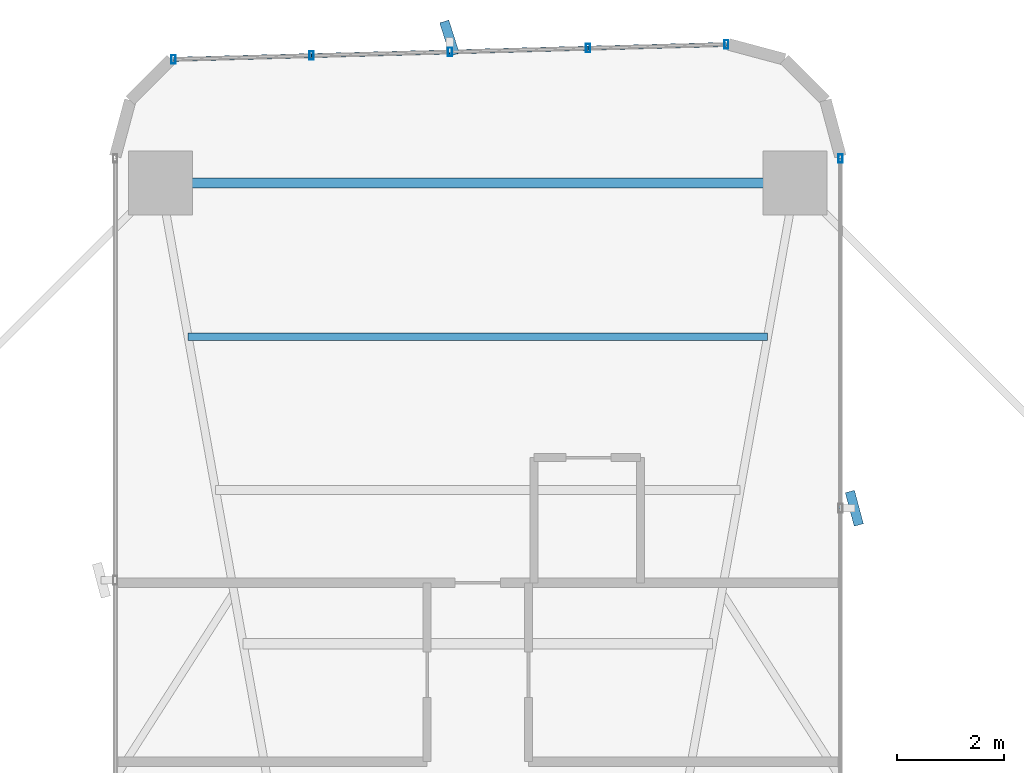
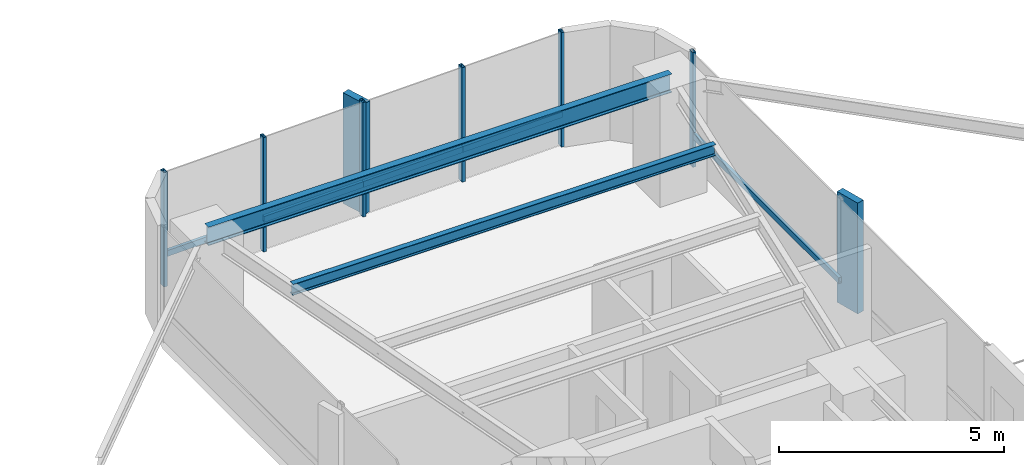
# One storey, part 19 of 25: 13 members, 2 beams, 2 elements without a shape of their own.
"""IFC4 building model written with IfcOpenShell, lengths in metres."""

from ifc_helpers import new_model, si_unit, direction, frame, origin, origin_2d, place, context, subcontext, project, spatial, rectangle, hollow_rectangle, i_section, extrude, source, transform, mapped, material, material_profile, profile_set, type_object, element, aggregate, save


model = new_model("IFC4")

# Units and contexts
model_context = context("Model", 3, precision=1e-05, world=origin(), true_north=direction((0.0, 1.0)))
body_context = subcontext(model_context, "Body", "Model", "MODEL_VIEW")
ifc_project = project(units=[si_unit("LENGTHUNIT", "METRE"), si_unit("AREAUNIT", "SQUARE_METRE"), si_unit("VOLUMEUNIT", "CUBIC_METRE"), si_unit("PLANEANGLEUNIT", "RADIAN"), si_unit("MASSUNIT", "GRAM", prefix="KILO")], contexts=[model_context])

# Site, building, storey
site_placement = place(None, origin())
site = spatial("IfcSite", under=ifc_project, at=site_placement, CompositionType="ELEMENT")
building_placement = place(site_placement, origin())
building = spatial("IfcBuilding", under=site, at=building_placement, Name="Sahyath Konkavel Grand Hotel", CompositionType="ELEMENT")
storey_placement = place(building_placement, frame((0.0, 0.0, 64.449951171875)))
storey = spatial("IfcBuildingStorey", under=building, at=storey_placement, Name="L17", CompositionType="ELEMENT", Elevation=64.449951171875)

# Beams
ifc_material_1 = material(Name="Steel E350", Category="steel")
ifc_material_profile_1 = material_profile(ifc_material_1, i_section(OverallWidth=0.179931640625, OverallDepth=0.5, WebThickness=0.01025390625, FlangeThickness=0.01708984375, FilletRadius=0.01708984375, at=origin_2d()), Name="ISMB 500")
ifc_profile_set_1 = profile_set([ifc_material_profile_1], Name="Steel E350")
beam_type_1 = type_object("IfcBeamType", Name="BM-ISMB500", PredefinedType="BEAM", material=ifc_profile_set_1)
shared_shape_1 = source(origin(), body_context, "Body", "SweptSolid", [
    extrude(i_section(OverallWidth=0.179931640625, OverallDepth=0.5, WebThickness=0.01025390625, FlangeThickness=0.01708984375, FilletRadius=0.01708984375, at=origin_2d()), origin(), (0.0, 0.0, 1.0), 11.89990234375),
])
beam_1_placement = place(storey_placement, frame((5.949951171875, 22.199951171875, 2.860107421875), z_axis=(-1.0, 0.0, 0.0), x_axis=(0.0, -1.0, 0.0)))
element("IfcBeam", 1, at=beam_1_placement, inside=storey, type_object=beam_type_1, Name="L17 Wing Tip Edge Beam N", PredefinedType="BEAM", context=body_context, shape_type="MappedRepresentation", body=[
    mapped(shared_shape_1, transform((0.0, 0.0, 0.0), scale=1.0)),
])
ifc_material_profile_2 = material_profile(ifc_material_1, i_section(OverallWidth=0.139892578125, OverallDepth=0.300048828125, WebThickness=0.0078125, FlangeThickness=0.01318359375, FilletRadius=0.013916015625, at=origin_2d()), Name="ISMB 300")
ifc_profile_set_2 = profile_set([ifc_material_profile_2], Name="Steel E350")
beam_type_2 = type_object("IfcBeamType", Name="BM-ISMB300", PredefinedType="BEAM", material=ifc_profile_set_2)
shared_shape_2 = source(origin(), body_context, "Body", "SweptSolid", [
    extrude(i_section(OverallWidth=0.139892578125, OverallDepth=0.300048828125, WebThickness=0.0078125, FlangeThickness=0.01318359375, FilletRadius=0.013916015625, at=origin_2d()), origin(), (0.0, 0.0, 1.0), 10.8681640625),
])
beam_2_placement = place(storey_placement, frame((5.43408203125, 19.320068359375, 2.9599609375), z_axis=(-1.0, 0.0, 0.0), x_axis=(0.0, -1.0, 0.0)))
element("IfcBeam", 2, at=beam_2_placement, inside=storey, type_object=beam_type_2, Name="L17 Secondary Floor Beam N-3", PredefinedType="BEAM", context=body_context, shape_type="MappedRepresentation", body=[
    mapped(shared_shape_2, transform((0.0, 0.0, 0.0), scale=1.0)),
])

# Curtain wall, member
ifc_material_2 = material(Name="Anodised Bronze Aluminium & Low-E Glazing", Category="aluminium")
curtain_wall_type = type_object("IfcCurtainWallType", Name="CW-ZONE1", PredefinedType="NOTDEFINED", material=ifc_material_2)
curtain_wall_1_placement = place(storey_placement, origin())
curtain_wall_1 = element("IfcCurtainWall", 3, at=curtain_wall_1_placement, inside=storey, type_object=curtain_wall_type, Name="L17 Unitised Curtain Wall F8", PredefinedType="NOTDEFINED")
ifc_material_3 = material(Name="Warm Buff Sandstone Cladding on Concrete C50/60", Category="masonry")
ifc_material_profile_3 = material_profile(ifc_material_3, rectangle(XDim=0.179931640625, YDim=0.64990234375, at=origin_2d()), Name="FIN 180x650")
ifc_profile_set_3 = profile_set([ifc_material_profile_3], Name="Warm Buff Sandstone Cladding on Concrete C50/60")
member_type_1 = type_object("IfcMemberType", Name="FIN-SANDSTONE-650", PredefinedType="MULLION", material=ifc_profile_set_3)
shared_shape_3 = source(origin(), body_context, "Body", "SweptSolid", [
    extrude(rectangle(XDim=0.179931640625, YDim=0.64990234375, at=origin_2d()), origin(), (0.0, 0.0, 1.0), 3.010009765625),
])
member_1_placement = place(storey_placement, frame((7.06005859375, 16.10009765625, 0.050048828125), z_axis=(0.0, 0.0, 1.0), x_axis=(0.966420942741, 0.256964124795, 0.0)))
member_1 = element("IfcMember", 4, at=member_1_placement, type_object=member_type_1, Name="L17 Sandstone Vertical Solar Fin FIN F8-1", PredefinedType="MULLION", context=body_context, shape_type="MappedRepresentation", body=[
    mapped(shared_shape_3, transform((0.0, 0.0, 0.0), scale=1.0)),
])

# Curtain wall, members
curtain_wall_2_placement = place(storey_placement, origin())
curtain_wall_2 = element("IfcCurtainWall", 5, at=curtain_wall_2_placement, inside=storey, type_object=curtain_wall_type, Name="L17 Unitised Curtain Wall F12", PredefinedType="NOTDEFINED")
member_2_placement = place(storey_placement, frame((-0.531982421875, 24.919189453125, 0.050048828125), z_axis=(0.0, 0.0, 1.0), x_axis=(0.952767550771, 0.303700500819, 0.0)))
member_2 = element("IfcMember", 6, at=member_2_placement, type_object=member_type_1, Name="L17 Sandstone Vertical Solar Fin FIN F12-2", PredefinedType="MULLION", context=body_context, shape_type="MappedRepresentation", body=[
    mapped(shared_shape_3, transform((0.0, 0.0, 0.0), scale=1.0)),
])
ifc_material_4 = material(Name="Anodised Bronze Aluminium", Category="aluminium")
ifc_material_profile_4 = material_profile(ifc_material_4, hollow_rectangle(XDim=0.080078125, YDim=0.159912109375, WallThickness=0.006103515625, at=origin_2d()), Name="RHS 160x80x6")
ifc_profile_set_4 = profile_set([ifc_material_profile_4], Name="Anodised Bronze Aluminium")
member_type_2 = type_object("IfcMemberType", Name="CW-TRN-160", PredefinedType="USERDEFINED", material=ifc_profile_set_4)
shared_shape_4 = source(origin(), body_context, "Body", "SweptSolid", [
    extrude(hollow_rectangle(XDim=0.080078125, YDim=0.159912109375, WallThickness=0.006103515625, at=origin_2d()), origin(), (0.0, 0.0, 1.0), 2.593505859375),
])
member_3_placement = place(storey_placement, frame((4.659912109375, 24.798828125, 0.85009765625), z_axis=(-0.999637507825, -0.026923093252, 0.0), x_axis=(0.026923093252, -0.999637507825, 0.0)))
member_3 = element("IfcMember", 7, at=member_3_placement, type_object=member_type_2, Name="L17 Curtain Wall Transom F12-0-spandrel", ObjectType="TRANSOM", PredefinedType="USERDEFINED", context=body_context, shape_type="MappedRepresentation", body=[
    mapped(shared_shape_4, transform((0.0, 0.0, 0.0), scale=1.0)),
])
member_4_placement = place(storey_placement, frame((-0.52490234375, 24.6591796875, 0.85009765625), z_axis=(-0.999640036937, -0.02682902444, 0.0), x_axis=(0.02682902444, -0.999640036937, 0.0)))
member_4 = element("IfcMember", 8, at=member_4_placement, type_object=member_type_2, Name="L17 Curtain Wall Transom F12-2-spandrel", ObjectType="TRANSOM", PredefinedType="USERDEFINED", context=body_context, shape_type="MappedRepresentation", body=[
    mapped(shared_shape_4, transform((0.0, 0.0, 0.0), scale=1.0)),
])
member_5_placement = place(storey_placement, frame((-3.117431640625, 24.589599609375, 0.85009765625), z_axis=(-0.999637507825, -0.026923093252, 0.0), x_axis=(0.026923093252, -0.999637507825, 0.0)))
member_5 = element("IfcMember", 9, at=member_5_placement, type_object=member_type_2, Name="L17 Curtain Wall Transom F12-3-spandrel", ObjectType="TRANSOM", PredefinedType="USERDEFINED", context=body_context, shape_type="MappedRepresentation", body=[
    mapped(shared_shape_4, transform((0.0, 0.0, 0.0), scale=1.0)),
])
shared_shape_5 = source(origin(), body_context, "Body", "SweptSolid", [
    extrude(hollow_rectangle(XDim=0.080078125, YDim=0.159912109375, WallThickness=0.006103515625, at=origin_2d()), origin(), (0.0, 0.0, 1.0), 2.59326171875),
])
member_6_placement = place(storey_placement, frame((2.0673828125, 24.72900390625, 0.85009765625), z_axis=(-0.99963743958, -0.026925627022, 0.0), x_axis=(0.026925627022, -0.99963743958, 0.0)))
member_6 = element("IfcMember", 10, at=member_6_placement, type_object=member_type_2, Name="L17 Curtain Wall Transom F12-1-spandrel", ObjectType="TRANSOM", PredefinedType="USERDEFINED", context=body_context, shape_type="MappedRepresentation", body=[
    mapped(shared_shape_5, transform((0.0, 0.0, 0.0), scale=1.0)),
])

# Member
ifc_material_profile_5 = material_profile(ifc_material_4, hollow_rectangle(XDim=0.080078125, YDim=0.159912109375, WallThickness=0.006103515625, at=origin_2d()), Name="RHS 160x80x6")
ifc_profile_set_5 = profile_set([ifc_material_profile_5], Name="Anodised Bronze Aluminium")
member_type_3 = type_object("IfcMemberType", Name="CW-MUL-160", PredefinedType="MULLION", material=ifc_profile_set_5)
shared_shape_6 = source(origin(), body_context, "Body", "SweptSolid", [
    extrude(hollow_rectangle(XDim=0.080078125, YDim=0.159912109375, WallThickness=0.006103515625, at=origin_2d()), origin(), (0.0, 0.0, 1.0), 3.110107421875),
])
member_7_placement = place(storey_placement, frame((6.800048828125, 22.659912109375, 0.0), z_axis=(0.0, 0.0, 1.0), x_axis=(1.0, 0.0, 0.0)))
member_7 = element("IfcMember", 11, at=member_7_placement, type_object=member_type_3, Name="L17 Curtain Wall Mullion F8-2", PredefinedType="MULLION", context=body_context, shape_type="MappedRepresentation", body=[
    mapped(shared_shape_6, transform((0.0, 0.0, 0.0), scale=1.0)),
])

member_8_placement = place(storey_placement, frame((4.659912109375, 24.798828125, 0.0), z_axis=(0.0, 0.0, 1.0), x_axis=(1.0, 0.0, 0.0)))
member_8 = element("IfcMember", 12, at=member_8_placement, type_object=member_type_3, Name="L17 Curtain Wall Mullion F12-0", PredefinedType="MULLION", context=body_context, shape_type="MappedRepresentation", body=[
    mapped(shared_shape_6, transform((0.0, 0.0, 0.0), scale=1.0)),
])

member_9_placement = place(storey_placement, frame((2.0673828125, 24.72900390625, 0.0), z_axis=(0.0, 0.0, 1.0), x_axis=(1.0, 0.0, 0.0)))
member_9 = element("IfcMember", 13, at=member_9_placement, type_object=member_type_3, Name="L17 Curtain Wall Mullion F12-1", PredefinedType="MULLION", context=body_context, shape_type="MappedRepresentation", body=[
    mapped(shared_shape_6, transform((0.0, 0.0, 0.0), scale=1.0)),
])

member_10_placement = place(storey_placement, frame((-0.52490234375, 24.6591796875, 0.0), z_axis=(0.0, 0.0, 1.0), x_axis=(1.0, 0.0, 0.0)))
member_10 = element("IfcMember", 14, at=member_10_placement, type_object=member_type_3, Name="L17 Curtain Wall Mullion F12-2", PredefinedType="MULLION", context=body_context, shape_type="MappedRepresentation", body=[
    mapped(shared_shape_6, transform((0.0, 0.0, 0.0), scale=1.0)),
])

member_11_placement = place(storey_placement, frame((-3.117431640625, 24.589599609375, 0.0), z_axis=(0.0, 0.0, 1.0), x_axis=(1.0, 0.0, 0.0)))
member_11 = element("IfcMember", 15, at=member_11_placement, type_object=member_type_3, Name="L17 Curtain Wall Mullion F12-3", PredefinedType="MULLION", context=body_context, shape_type="MappedRepresentation", body=[
    mapped(shared_shape_6, transform((0.0, 0.0, 0.0), scale=1.0)),
])

member_12_placement = place(storey_placement, frame((-5.7099609375, 24.519775390625, 0.0), z_axis=(0.0, 0.0, 1.0), x_axis=(1.0, 0.0, 0.0)))
member_12 = element("IfcMember", 16, at=member_12_placement, type_object=member_type_3, Name="L17 Curtain Wall Mullion F12-4", PredefinedType="MULLION", context=body_context, shape_type="MappedRepresentation", body=[
    mapped(shared_shape_6, transform((0.0, 0.0, 0.0), scale=1.0)),
])

aggregate(curtain_wall_2, [member_8, member_9, member_10, member_2, member_11, member_12, member_3, member_6, member_4, member_5])

shared_shape_7 = source(origin(), body_context, "Body", "SweptSolid", [
    extrude(hollow_rectangle(XDim=0.080078125, YDim=0.159912109375, WallThickness=0.006103515625, at=origin_2d()), origin(), (0.0, 0.0, 1.0), 6.559814453125),
])
member_13_placement = place(storey_placement, frame((6.800048828125, 16.10009765625, 0.85009765625), z_axis=(0.0, 1.0, 0.0), x_axis=(-1.0, 0.0, 0.0)))
member_13 = element("IfcMember", 17, at=member_13_placement, type_object=member_type_2, Name="L17 Curtain Wall Transom F8-1-spandrel", ObjectType="TRANSOM", PredefinedType="USERDEFINED", context=body_context, shape_type="MappedRepresentation", body=[
    mapped(shared_shape_7, transform((0.0, 0.0, 0.0), scale=1.0)),
])

aggregate(curtain_wall_1, [member_1, member_7, member_13])

save(model, "model.ifc")
